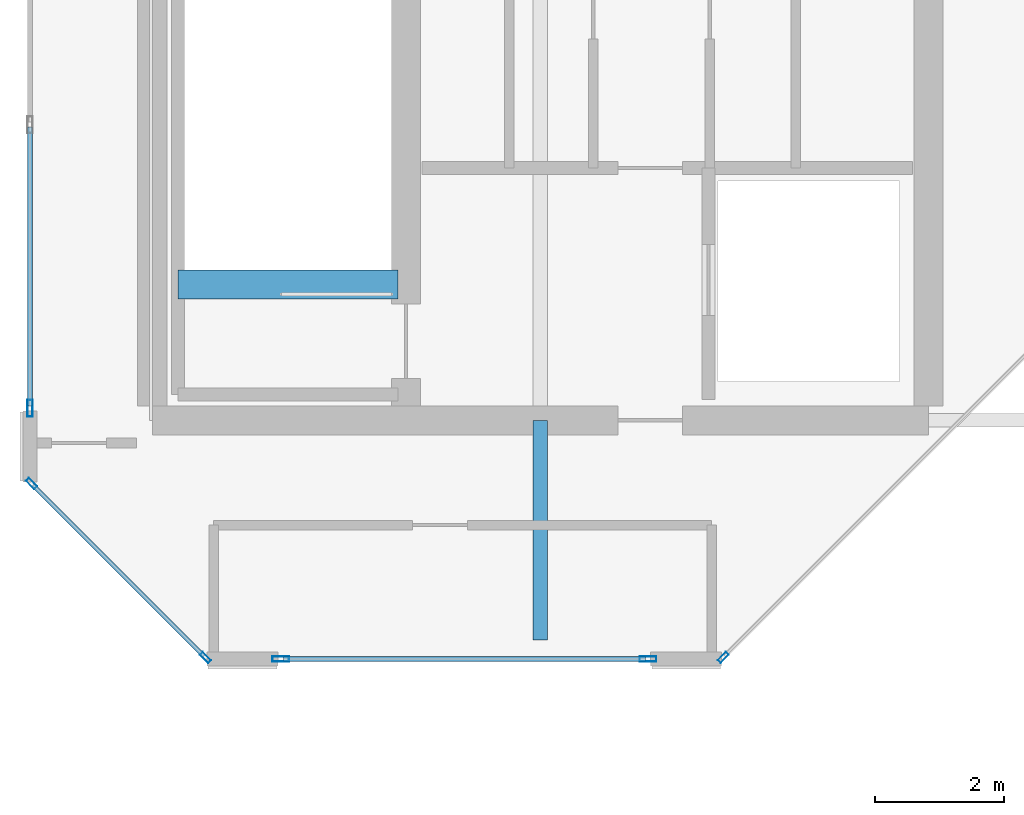
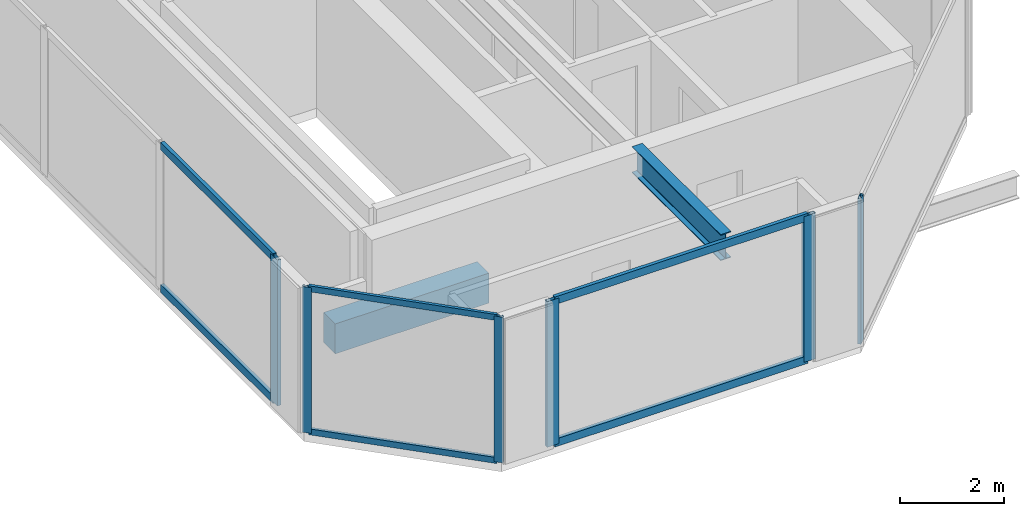
# One storey, part 2 of 28: 12 members, 2 beams, 4 elements without a shape of their own.
"""IFC4 building model written with IfcOpenShell, lengths in metres."""

from ifc_helpers import new_model, si_unit, direction, frame, origin, origin_2d, place, context, subcontext, project, spatial, rectangle, hollow_rectangle, i_section, extrude, material, layer, layer_set, material_profile, profile_set, type_object, element, aggregate, save


model = new_model("IFC4")

# Units and contexts
model_context = context("Model", 3, precision=1e-05, world=origin(), true_north=direction((0.0, 1.0)))
body_context = subcontext(model_context, "Body", "Model", "MODEL_VIEW")
ifc_project = project(units=[si_unit("LENGTHUNIT", "METRE"), si_unit("AREAUNIT", "SQUARE_METRE"), si_unit("VOLUMEUNIT", "CUBIC_METRE"), si_unit("PLANEANGLEUNIT", "RADIAN"), si_unit("MASSUNIT", "GRAM", prefix="KILO")], contexts=[model_context])

# Site, building, storey
site_placement = place(None, origin())
site = spatial("IfcSite", under=ifc_project, at=site_placement, CompositionType="ELEMENT")
building_placement = place(site_placement, origin())
building = spatial("IfcBuilding", under=site, at=building_placement, Name="Tanjung Sevakor Pilgrim Tower", CompositionType="ELEMENT")
storey_placement = place(building_placement, frame((0.0, 0.0, 257.070068359375)))
storey = spatial("IfcBuildingStorey", under=building, at=storey_placement, Name="L72", CompositionType="ELEMENT", Elevation=257.070068359375)

# Beams
ifc_material_1 = material(Name="Steel S355J2", Category="steel")
ifc_material_profile_1 = material_profile(ifc_material_1, i_section(OverallWidth=0.22900390625, OverallDepth=0.6123046875, WebThickness=0.011962890625, FlangeThickness=0.01953125, FilletRadius=0.0126953125, at=origin_2d()))
ifc_profile_set_1 = profile_set([ifc_material_profile_1], Name="Steel S355J2")
beam_type_1 = type_object("IfcBeamType", Name="BM-B-G4-UB_610x229x125", PredefinedType="BEAM", material=ifc_profile_set_1)
beam_1_placement = place(storey_placement, frame((30.0, 21.199951171875, 3.063720703125), z_axis=(0.0, 1.0, 0.0), x_axis=(-1.0, 0.0, 0.0)))
element("IfcBeam", 1, at=beam_1_placement, inside=storey, type_object=beam_type_1, Name="L72 WPK Roof Girder NS 1", PredefinedType="BEAM", context=body_context, shape_type="SweptSolid", body=[
    extrude(i_section(OverallWidth=0.22900390625, OverallDepth=0.6123046875, WebThickness=0.011962890625, FlangeThickness=0.01953125, FilletRadius=0.0126953125, at=origin_2d()), origin(), (0.0, 0.0, 1.0), 3.400146484375),
])
ifc_material_2 = material(Name="Concrete C60/75", Category="concrete")
ifc_material_profile_2 = material_profile(ifc_material_2, rectangle(XDim=0.449951171875, YDim=0.699951171875, at=origin_2d()))
ifc_profile_set_2 = profile_set([ifc_material_profile_2], Name="Concrete C60/75")
beam_type_2 = type_object("IfcBeamType", Name="BM-B-LN3-RC-BM_450x700", PredefinedType="LINTEL", material=ifc_profile_set_2)
beam_2_placement = place(storey_placement, frame((24.39990234375, 26.699951171875, -0.35009765625), z_axis=(1.0, 0.0, 0.0), x_axis=(0.0, 1.0, 0.0)))
element("IfcBeam", 2, at=beam_2_placement, inside=storey, type_object=beam_type_2, Name="L72 TS-W1 Stair Threshold Beam", PredefinedType="LINTEL", context=body_context, shape_type="SweptSolid", body=[
    extrude(rectangle(XDim=0.449951171875, YDim=0.699951171875, at=origin_2d()), origin(), (0.0, 0.0, 1.0), 3.400146484375),
])

# Curtain wall, member
ifc_material_3 = material(Name="Aluminium 6063-T6 and Low-E Glass", Category="aluminium")
ifc_layer_1 = layer(ifc_material_3, 0.179931640625)
ifc_layer_set_1 = layer_set([ifc_layer_1], Name="CW-SYS-CHAM")
curtain_wall_type_1 = type_object("IfcCurtainWallType", Name="CW-SYS-CHAM", PredefinedType="NOTDEFINED", material=ifc_layer_set_1)
curtain_wall_1_placement = place(storey_placement, origin())
curtain_wall_1 = element("IfcCurtainWall", 3, at=curtain_wall_1_placement, inside=storey, type_object=curtain_wall_type_1, Name="L72 Curtain Wall CW-CHM-L72-WEST-1", PredefinedType="NOTDEFINED")
ifc_material_4 = material(Name="Aluminium 6063-T6", Category="aluminium")
ifc_material_profile_3 = material_profile(ifc_material_4, hollow_rectangle(XDim=0.06494140625, YDim=0.179931640625, WallThickness=0.00390625, at=origin_2d()))
ifc_profile_set_3 = profile_set([ifc_material_profile_3], Name="Aluminium 6063-T6")
member_type_1 = type_object("IfcMemberType", Name="TYPE-CWM-1", PredefinedType="MULLION", material=ifc_profile_set_3)
member_1_placement = place(storey_placement, frame((32.827392578125, 20.932861328125, 0.0), z_axis=(0.0, 0.0, 1.0), x_axis=(-0.707106781187, 0.707106781187, 0.0)))
member_1 = element("IfcMember", 4, at=member_1_placement, type_object=member_type_1, Name="CW-CHM mullion 1", PredefinedType="MULLION", context=body_context, shape_type="SweptSolid", body=[
    extrude(hollow_rectangle(XDim=0.06494140625, YDim=0.179931640625, WallThickness=0.00390625, at=origin_2d()), origin(), (0.0, 0.0, 1.0), 3.409912109375),
])
aggregate(curtain_wall_1, [member_1])

# Curtain wall, members
curtain_wall_2_placement = place(storey_placement, origin())
curtain_wall_2 = element("IfcCurtainWall", 5, at=curtain_wall_2_placement, inside=storey, type_object=curtain_wall_type_1, Name="L72 Curtain Wall CW-CHM-L72-WEST-7", PredefinedType="NOTDEFINED")
member_2_placement = place(storey_placement, frame((22.133056640625, 23.62255859375, 0.0), z_axis=(0.0, 0.0, 1.0), x_axis=(0.707106781187, 0.707106781187, 0.0)))
member_2 = element("IfcMember", 6, at=member_2_placement, type_object=member_type_1, Name="CW-CHM mullion 1", PredefinedType="MULLION", context=body_context, shape_type="SweptSolid", body=[
    extrude(hollow_rectangle(XDim=0.06494140625, YDim=0.179931640625, WallThickness=0.00390625, at=origin_2d()), origin(), (0.0, 0.0, 1.0), 3.409912109375),
])
member_3_placement = place(storey_placement, frame((24.822509765625, 20.932861328125, 0.0), z_axis=(0.0, 0.0, 1.0), x_axis=(0.707106781187, 0.707106781187, 0.0)))
member_3 = element("IfcMember", 7, at=member_3_placement, type_object=member_type_1, Name="CW-CHM mullion 2", PredefinedType="MULLION", context=body_context, shape_type="SweptSolid", body=[
    extrude(hollow_rectangle(XDim=0.06494140625, YDim=0.179931640625, WallThickness=0.00390625, at=origin_2d()), origin(), (0.0, 0.0, 1.0), 3.409912109375),
])

ifc_material_5 = material(Name="Aluminium 6063-T6 and Low-E Glass", Category="aluminium")
ifc_layer_2 = layer(ifc_material_5, 0.199951171875)
ifc_layer_set_2 = layer_set([ifc_layer_2], Name="CW-SYS-CRNW")
curtain_wall_type_2 = type_object("IfcCurtainWallType", Name="CW-SYS-CRNW", PredefinedType="NOTDEFINED", material=ifc_layer_set_2)
curtain_wall_3_placement = place(storey_placement, origin())
curtain_wall_3 = element("IfcCurtainWall", 8, at=curtain_wall_3_placement, inside=storey, type_object=curtain_wall_type_2, Name="L72 Curtain Wall CW-CRN-L72-WEST-0-1", PredefinedType="NOTDEFINED")
ifc_material_6 = material(Name="Aluminium 6063-T6", Category="aluminium")
ifc_material_profile_4 = material_profile(ifc_material_6, hollow_rectangle(XDim=0.080078125, YDim=0.260009765625, WallThickness=0.0048828125, at=origin_2d()))
ifc_profile_set_4 = profile_set([ifc_material_profile_4], Name="Aluminium 6063-T6")
member_type_2 = type_object("IfcMemberType", Name="TYPE-CWM-3", PredefinedType="MULLION", material=ifc_profile_set_4)
member_4_placement = place(storey_placement, frame((25.985595703125, 20.909912109375, 0.0), z_axis=(0.0, 0.0, 1.0), x_axis=(0.0, 1.0, 0.0)))
member_4 = element("IfcMember", 9, at=member_4_placement, type_object=member_type_2, Name="CW-CRW mullion 1", PredefinedType="MULLION", context=body_context, shape_type="SweptSolid", body=[
    extrude(hollow_rectangle(XDim=0.080078125, YDim=0.260009765625, WallThickness=0.0048828125, at=origin_2d()), origin(), (0.0, 0.0, 1.0), 3.409912109375),
])
member_5_placement = place(storey_placement, frame((31.664306640625, 20.909912109375, 0.0), z_axis=(0.0, 0.0, 1.0), x_axis=(0.0, 1.0, 0.0)))
member_5 = element("IfcMember", 10, at=member_5_placement, type_object=member_type_2, Name="CW-CRW mullion 2", PredefinedType="MULLION", context=body_context, shape_type="SweptSolid", body=[
    extrude(hollow_rectangle(XDim=0.080078125, YDim=0.260009765625, WallThickness=0.0048828125, at=origin_2d()), origin(), (0.0, 0.0, 1.0), 3.409912109375),
])

# Curtain wall, member
curtain_wall_4_placement = place(storey_placement, origin())
curtain_wall_4 = element("IfcCurtainWall", 11, at=curtain_wall_4_placement, inside=storey, type_object=curtain_wall_type_2, Name="L72 Curtain Wall CW-CRN-L72-WEST-6-1", PredefinedType="NOTDEFINED")
member_6_placement = place(storey_placement, frame((22.110107421875, 24.78564453125, 0.0), z_axis=(0.0, 0.0, 1.0), x_axis=(1.0, 0.0, 0.0)))
member_6 = element("IfcMember", 12, at=member_6_placement, type_object=member_type_2, Name="CW-CRW mullion 5", PredefinedType="MULLION", context=body_context, shape_type="SweptSolid", body=[
    extrude(hollow_rectangle(XDim=0.080078125, YDim=0.260009765625, WallThickness=0.0048828125, at=origin_2d()), origin(), (0.0, 0.0, 1.0), 3.409912109375),
])

# Member
ifc_material_7 = material(Name="Aluminium 6063-T6", Category="aluminium")
ifc_material_profile_5 = material_profile(ifc_material_7, hollow_rectangle(XDim=0.06494140625, YDim=0.139892578125, WallThickness=0.00390625, at=origin_2d()))
ifc_profile_set_5 = profile_set([ifc_material_profile_5], Name="Aluminium 6063-T6")
member_type_3 = type_object("IfcMemberType", Name="TYPE-CWT-1", PredefinedType="USERDEFINED", material=ifc_profile_set_5)
member_7_placement = place(storey_placement, frame((22.156005859375, 23.599609375, 0.032470703125), z_axis=(0.707106781187, -0.707106781187, 0.0), x_axis=(0.707106781187, 0.707106781187, 0.0)))
member_7 = element("IfcMember", 13, at=member_7_placement, type_object=member_type_3, Name="CW-CHM transom 1.1", ObjectType="TRANSOM", PredefinedType="USERDEFINED", context=body_context, shape_type="SweptSolid", body=[
    extrude(hollow_rectangle(XDim=0.06494140625, YDim=0.139892578125, WallThickness=0.00390625, at=origin_2d()), origin(), (0.0, 0.0, 1.0), 3.738525390625),
])

member_8_placement = place(storey_placement, frame((22.156005859375, 23.599609375, 3.37744140625), z_axis=(0.707106781187, -0.707106781187, 0.0), x_axis=(0.707106781187, 0.707106781187, 0.0)))
member_8 = element("IfcMember", 14, at=member_8_placement, type_object=member_type_3, Name="CW-CHM transom 1.2", ObjectType="TRANSOM", PredefinedType="USERDEFINED", context=body_context, shape_type="SweptSolid", body=[
    extrude(hollow_rectangle(XDim=0.06494140625, YDim=0.139892578125, WallThickness=0.00390625, at=origin_2d()), origin(), (0.0, 0.0, 1.0), 3.738525390625),
])

aggregate(curtain_wall_2, [member_2, member_3, member_7, member_8])

ifc_material_8 = material(Name="Aluminium 6063-T6", Category="aluminium")
ifc_material_profile_6 = material_profile(ifc_material_8, hollow_rectangle(XDim=0.080078125, YDim=0.179931640625, WallThickness=0.0048828125, at=origin_2d()))
ifc_profile_set_6 = profile_set([ifc_material_profile_6], Name="Aluminium 6063-T6")
member_type_4 = type_object("IfcMemberType", Name="TYPE-CWT-3", PredefinedType="USERDEFINED", material=ifc_profile_set_6)
member_9_placement = place(storey_placement, frame((26.025634765625, 20.909912109375, 0.0400390625), z_axis=(1.0, 0.0, 0.0), x_axis=(0.0, 1.0, 0.0)))
member_9 = element("IfcMember", 15, at=member_9_placement, type_object=member_type_4, Name="CW-CRW transom 1.1", ObjectType="TRANSOM", PredefinedType="USERDEFINED", context=body_context, shape_type="SweptSolid", body=[
    extrude(hollow_rectangle(XDim=0.080078125, YDim=0.179931640625, WallThickness=0.0048828125, at=origin_2d()), origin(), (0.0, 0.0, 1.0), 5.598876953125),
])

member_10_placement = place(storey_placement, frame((26.025634765625, 20.909912109375, 3.369873046875), z_axis=(1.0, 0.0, 0.0), x_axis=(0.0, 1.0, 0.0)))
member_10 = element("IfcMember", 16, at=member_10_placement, type_object=member_type_4, Name="CW-CRW transom 1.2", ObjectType="TRANSOM", PredefinedType="USERDEFINED", context=body_context, shape_type="SweptSolid", body=[
    extrude(hollow_rectangle(XDim=0.080078125, YDim=0.179931640625, WallThickness=0.0048828125, at=origin_2d()), origin(), (0.0, 0.0, 1.0), 5.598876953125),
])

aggregate(curtain_wall_3, [member_4, member_5, member_9, member_10])

member_11_placement = place(storey_placement, frame((22.110107421875, 29.1328125, 0.0400390625), z_axis=(0.0, -1.0, 0.0), x_axis=(1.0, 0.0, 0.0)))
member_11 = element("IfcMember", 17, at=member_11_placement, type_object=member_type_4, Name="CW-CRW transom 4.1", ObjectType="TRANSOM", PredefinedType="USERDEFINED", context=body_context, shape_type="SweptSolid", body=[
    extrude(hollow_rectangle(XDim=0.080078125, YDim=0.179931640625, WallThickness=0.0048828125, at=origin_2d()), origin(), (0.0, 0.0, 1.0), 4.30712890625),
])

member_12_placement = place(storey_placement, frame((22.110107421875, 29.1328125, 3.369873046875), z_axis=(0.0, -1.0, 0.0), x_axis=(1.0, 0.0, 0.0)))
member_12 = element("IfcMember", 18, at=member_12_placement, type_object=member_type_4, Name="CW-CRW transom 4.2", ObjectType="TRANSOM", PredefinedType="USERDEFINED", context=body_context, shape_type="SweptSolid", body=[
    extrude(hollow_rectangle(XDim=0.080078125, YDim=0.179931640625, WallThickness=0.0048828125, at=origin_2d()), origin(), (0.0, 0.0, 1.0), 4.30712890625),
])

aggregate(curtain_wall_4, [member_6, member_11, member_12])

save(model, "model.ifc")
